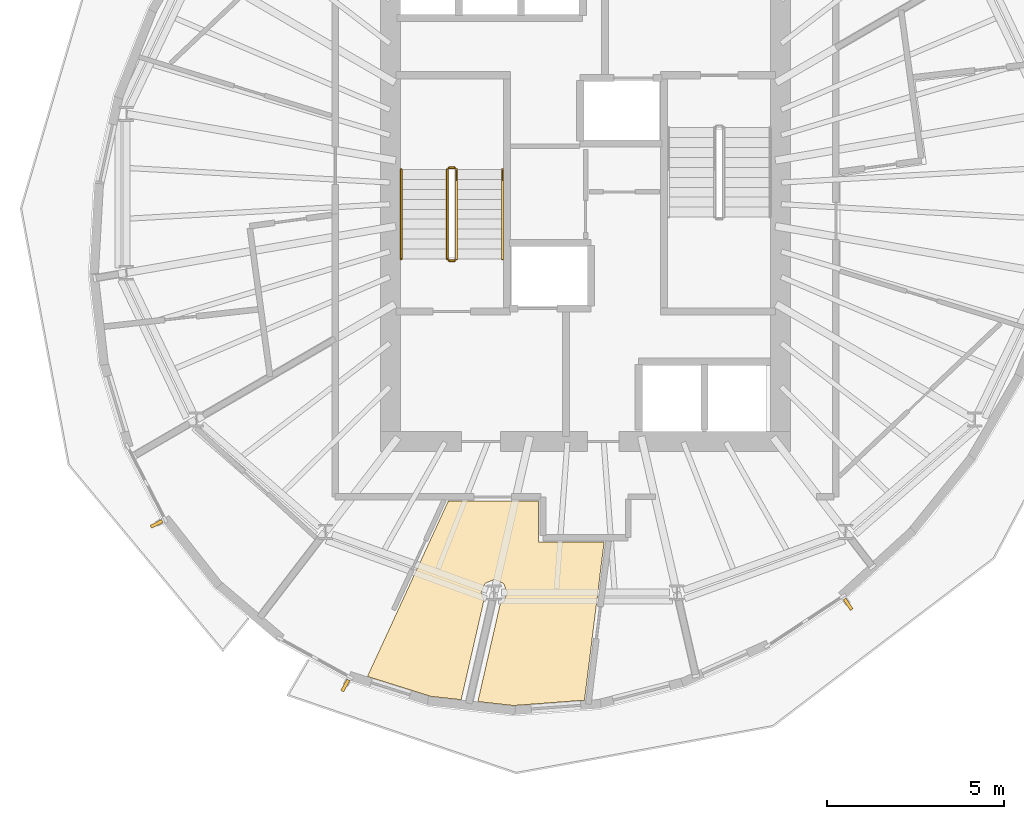
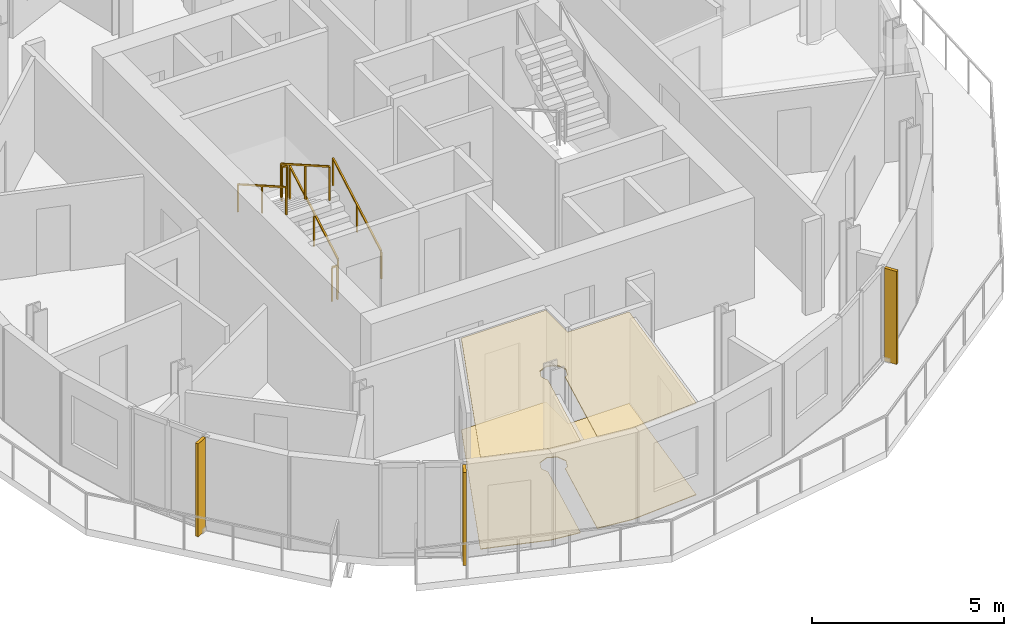
# One storey, part 8 of 11: 6 railings, 3 shading devices, 2 coverings.
"""IFC4 building model written with IfcOpenShell, lengths in metres."""

from ifc_helpers import new_model, si_unit, direction, frame, origin, origin_2d, place, context, subcontext, project, spatial, polyline, rectangle, outline, extrude, material, layer, layer_set, type_object, element, save


model = new_model("IFC4")

# Units and contexts
model_context = context("Model", 3, precision=1e-05, world=origin(), true_north=direction((0.0, 1.0)))
body_context = subcontext(model_context, "Body", "Model", "MODEL_VIEW")
ifc_project = project(units=[si_unit("LENGTHUNIT", "METRE"), si_unit("AREAUNIT", "SQUARE_METRE"), si_unit("VOLUMEUNIT", "CUBIC_METRE"), si_unit("PLANEANGLEUNIT", "RADIAN"), si_unit("MASSUNIT", "GRAM", prefix="KILO")], contexts=[model_context])

# Site, building, storey
site_placement = place(None, origin())
site = spatial("IfcSite", under=ifc_project, at=site_placement, CompositionType="ELEMENT")
building_placement = place(site_placement, origin())
building = spatial("IfcBuilding", under=site, at=building_placement, Name="Veldorim Arch Residences", CompositionType="ELEMENT")
storey_placement = place(building_placement, frame((0.0, 0.0, 223.840087890625)))
storey = spatial("IfcBuildingStorey", under=building, at=storey_placement, Name="L67", CompositionType="ELEMENT", Elevation=223.840087890625)

# Railings
ifc_material_1 = material(Name="Steel S355", Category="steel")
railing_type_1 = type_object("IfcRailingType", Name="Galvanised Steel Stair Safety Guardrail 1100", PredefinedType="GUARDRAIL", material=ifc_material_1)
railing_1_placement = place(storey_placement, frame((28.360107421875, 22.14990234375, 0.159912109375)))
element("IfcRailing", 1, at=railing_1_placement, inside=storey, type_object=railing_type_1, Name="L67 ST-1 stair guard 1", PredefinedType="GUARDRAIL", context=body_context, shape_type="SweptSolid", body=[
    extrude(rectangle(XDim=0.048095703125, YDim=0.048095703125, at=origin_2d()), frame((0.0, 0.0, 1.076171875), z_axis=(0.0, 0.868253494771, 0.496120820787), x_axis=(-1.0, 0.0, 0.0)), (0.0, 0.0, 1.0), 2.90234375),
    extrude(rectangle(XDim=0.0419921875, YDim=0.0419921875, at=origin_2d()), origin(), (0.0, 0.0, 1.0), 1.052001953125),
    extrude(rectangle(XDim=0.0419921875, YDim=0.0419921875, at=origin_2d()), frame((0.0, 1.260009765625, 0.719970703125)), (0.0, 0.0, 1.0), 1.052001953125),
    extrude(rectangle(XDim=0.0419921875, YDim=0.0419921875, at=origin_2d()), frame((0.0, 2.52001953125, 1.43994140625)), (0.0, 0.0, 1.0), 1.052001953125),
])
railing_2_placement = place(storey_placement, frame((28.31005859375, 24.719970703125, 1.599853515625)))
element("IfcRailing", 2, at=railing_2_placement, inside=storey, type_object=railing_type_1, Name="L67 ST-1 stair guard 2", PredefinedType="GUARDRAIL", context=body_context, shape_type="SweptSolid", body=[
    extrude(rectangle(XDim=0.048095703125, YDim=0.048095703125, at=origin_2d()), frame((0.0, 0.0, 1.076171875), z_axis=(-1.0, 0.0, 0.0), x_axis=(0.0, -1.0, 0.0)), (0.0, 0.0, 1.0), 0.16015625),
    extrude(rectangle(XDim=0.0419921875, YDim=0.0419921875, at=origin_2d()), origin(), (0.0, 0.0, 1.0), 1.052001953125),
    extrude(rectangle(XDim=0.0419921875, YDim=0.0419921875, at=origin_2d()), frame((-0.16015625, 0.0, 0.0)), (0.0, 0.0, 1.0), 1.052001953125),
])
railing_3_placement = place(storey_placement, frame((28.10009765625, 24.669921875, 1.760009765625)))
element("IfcRailing", 3, at=railing_3_placement, inside=storey, type_object=railing_type_1, Name="L67 ST-1 stair guard 3", PredefinedType="GUARDRAIL", context=body_context, shape_type="SweptSolid", body=[
    extrude(rectangle(XDim=0.048095703125, YDim=0.048095703125, at=origin_2d()), frame((0.0, 0.0, 1.076171875), z_axis=(0.0, -0.868253494771, 0.496120820787), x_axis=(1.0, 0.0, 0.0)), (0.0, 0.0, 1.0), 2.90234375),
    extrude(rectangle(XDim=0.0419921875, YDim=0.0419921875, at=origin_2d()), origin(), (0.0, 0.0, 1.0), 1.052001953125),
    extrude(rectangle(XDim=0.0419921875, YDim=0.0419921875, at=origin_2d()), frame((0.0, -1.260009765625, 0.719970703125)), (0.0, 0.0, 1.0), 1.052001953125),
    extrude(rectangle(XDim=0.0419921875, YDim=0.0419921875, at=origin_2d()), frame((0.0, -2.52001953125, 1.43994140625)), (0.0, 0.0, 1.0), 1.052001953125),
])
railing_4_placement = place(storey_placement, frame((28.31005859375, 22.10009765625, 0.0)))
element("IfcRailing", 4, at=railing_4_placement, inside=storey, type_object=railing_type_1, Name="L67 ST-1 stair guard 4", PredefinedType="GUARDRAIL", context=body_context, shape_type="SweptSolid", body=[
    extrude(rectangle(XDim=0.048095703125, YDim=0.048095703125, at=origin_2d()), frame((0.0, 0.0, 1.076171875), z_axis=(-1.0, 0.0, 0.0), x_axis=(0.0, -1.0, 0.0)), (0.0, 0.0, 1.0), 0.16015625),
    extrude(rectangle(XDim=0.0419921875, YDim=0.0419921875, at=origin_2d()), origin(), (0.0, 0.0, 1.0), 1.052001953125),
    extrude(rectangle(XDim=0.0419921875, YDim=0.0419921875, at=origin_2d()), frame((-0.16015625, 0.0, 0.0)), (0.0, 0.0, 1.0), 1.052001953125),
])

# Coverings
ifc_material_2 = material(Name="Acoustic Gypsum & Mineral Fibre", Category="gypsum")
ifc_layer_1 = layer(ifc_material_2, 0.034912109375, Name="Perforated Acoustic Mineral-Fibre Ceiling 35")
ifc_layer_set_1 = layer_set([ifc_layer_1], Name="Acoustic Gypsum & Mineral Fibre")
covering_type_1 = type_object("IfcCoveringType", Name="Perforated Acoustic Mineral-Fibre Ceiling 35", PredefinedType="CEILING", material=ifc_layer_set_1)
covering_1_placement = place(storey_placement, frame((0.0, 0.0, 2.905029296875)))
element("IfcCovering", 5, at=covering_1_placement, inside=storey, type_object=covering_type_1, Name="L67 acoustic suspended ceiling 01", PredefinedType="CEILING", context=body_context, shape_type="SweptSolid", body=[
    extrude(outline(polyline([(29.597900390625, 12.443115234375), (29.68603515625, 12.4794921875), (29.794189453125, 12.740478515625), (29.68603515625, 13.001708984375), (29.4248046875, 13.110107421875), (29.16357421875, 13.001708984375), (29.055419921875, 12.740478515625), (29.137939453125, 12.54150390625), (28.492919921875, 9.720703125), (27.63916015625, 9.815673828125), (25.849853515625, 10.37744140625), (28.129150390625, 15.320068359375), (30.679931640625, 15.320068359375), (30.679931640625, 14.169921875), (32.523681640625, 14.169921875), (31.970458984375, 9.707275390625), (29.963134765625, 9.556884765625), (28.96337890625, 9.668212890625), (29.597900390625, 12.443115234375)])), origin(), (0.0, 0.0, 1.0), 0.034912109375),
])
ifc_material_3 = material(Name="Porcelain Ceramic Tile", Category="ceramic")
ifc_layer_2 = layer(ifc_material_3, 0.02001953125, Name="Slip-Resistant Porcelain & Vinyl Floor Finish 20")
ifc_layer_set_2 = layer_set([ifc_layer_2], Name="Porcelain Ceramic Tile")
covering_type_2 = type_object("IfcCoveringType", Name="Slip-Resistant Porcelain & Vinyl Floor Finish 20", PredefinedType="FLOORING", material=ifc_layer_set_2)
covering_2_placement = place(storey_placement, origin())
element("IfcCovering", 6, at=covering_2_placement, inside=storey, type_object=covering_type_2, Name="L67 porcelain floor finish 01", PredefinedType="FLOORING", context=body_context, shape_type="SweptSolid", body=[
    extrude(outline(polyline([(29.597900390625, 12.443115234375), (29.68603515625, 12.4794921875), (29.794189453125, 12.740478515625), (29.68603515625, 13.001708984375), (29.4248046875, 13.110107421875), (29.16357421875, 13.001708984375), (29.055419921875, 12.740478515625), (29.137939453125, 12.54150390625), (28.492919921875, 9.720703125), (27.63916015625, 9.815673828125), (25.849853515625, 10.37744140625), (28.129150390625, 15.320068359375), (30.679931640625, 15.320068359375), (30.679931640625, 14.169921875), (32.523681640625, 14.169921875), (31.970458984375, 9.707275390625), (29.963134765625, 9.556884765625), (28.96337890625, 9.668212890625), (29.597900390625, 12.443115234375)])), origin(), (0.0, 0.0, 1.0), 0.02001953125),
])

# Railings
ifc_material_4 = material(Name="Stainless Steel", Category="steel")
railing_type_2 = type_object("IfcRailingType", Name="Tubular Steel Continuous Wall Handrail 900", PredefinedType="HANDRAIL", material=ifc_material_4)
railing_5_placement = place(storey_placement, frame((29.659912109375, 22.14990234375, 0.159912109375)))
element("IfcRailing", 7, at=railing_5_placement, inside=storey, type_object=railing_type_2, Name="L67 ST-1 stair handrail 1", PredefinedType="HANDRAIL", context=body_context, shape_type="SweptSolid", body=[
    extrude(rectangle(XDim=0.048095703125, YDim=0.048095703125, at=origin_2d()), frame((0.0, 0.0, 0.8759765625), z_axis=(0.0, 0.868253494771, 0.496120820787), x_axis=(-1.0, 0.0, 0.0)), (0.0, 0.0, 1.0), 2.90234375),
    extrude(rectangle(XDim=0.0419921875, YDim=0.0419921875, at=origin_2d()), origin(), (0.0, 0.0, 1.0), 0.851806640625),
    extrude(rectangle(XDim=0.0419921875, YDim=0.0419921875, at=origin_2d()), frame((0.0, 1.260009765625, 0.719970703125)), (0.0, 0.0, 1.0), 0.851806640625),
    extrude(rectangle(XDim=0.0419921875, YDim=0.0419921875, at=origin_2d()), frame((0.0, 2.52001953125, 1.43994140625)), (0.0, 0.0, 1.0), 0.851806640625),
])
railing_6_placement = place(storey_placement, frame((26.800048828125, 24.669921875, 1.760009765625)))
element("IfcRailing", 8, at=railing_6_placement, inside=storey, type_object=railing_type_2, Name="L67 ST-1 stair handrail 2", PredefinedType="HANDRAIL", context=body_context, shape_type="SweptSolid", body=[
    extrude(rectangle(XDim=0.048095703125, YDim=0.048095703125, at=origin_2d()), frame((0.0, 0.0, 0.8759765625), z_axis=(0.0, -0.868253494771, 0.496120820787), x_axis=(1.0, 0.0, 0.0)), (0.0, 0.0, 1.0), 2.90234375),
    extrude(rectangle(XDim=0.0419921875, YDim=0.0419921875, at=origin_2d()), origin(), (0.0, 0.0, 1.0), 0.851806640625),
    extrude(rectangle(XDim=0.0419921875, YDim=0.0419921875, at=origin_2d()), frame((0.0, -1.260009765625, 0.719970703125)), (0.0, 0.0, 1.0), 0.851806640625),
    extrude(rectangle(XDim=0.0419921875, YDim=0.0419921875, at=origin_2d()), frame((0.0, -2.52001953125, 1.43994140625)), (0.0, 0.0, 1.0), 0.851806640625),
])

# Shading devices
ifc_material_5 = material(Name="Terracotta Ceramic", Category="masonry")
ifc_layer_3 = layer(ifc_material_5, 0.090087890625, Name="Vertical Extruded Terracotta Baguette Sun-Shading Fin")
ifc_layer_set_3 = layer_set([ifc_layer_3], Name="Terracotta Ceramic")
shading_device_type = type_object("IfcShadingDeviceType", Name="Vertical Extruded Terracotta Baguette Sun-Shading Fin", PredefinedType="USERDEFINED", material=ifc_layer_set_3)
for number, where, z_axis, x_axis, name in (
    (9, (19.90234375, 14.678466796875, 0.0), (0.0, 0.0, 1.0), (-0.457718745382, 0.889097042019, 0.0), "L67 vertical terracotta sun-shading fin 16"),
    (10, (25.2255859375, 10.121337890625, 0.0), (0.0, 0.0, 1.0), (-0.876222584819, 0.481906611132, 0.0), "L67 vertical terracotta sun-shading fin 19"),
    (11, (39.40478515625, 12.41162109375, 0.0), (0.0, 0.0, 1.0), (-0.835135979853, -0.550043539327, 0.0), "L67 vertical terracotta sun-shading fin 25"),
):
    element("IfcShadingDevice", number, at=place(storey_placement, frame(where, z_axis=z_axis, x_axis=x_axis)), inside=storey, type_object=shading_device_type, Name=name, ObjectType="FIN", PredefinedType="USERDEFINED", context=body_context, shape_type="SweptSolid", body=[
        extrude(rectangle(XDim=0.090087890625, YDim=0.360107421875, at=origin_2d()), origin(), (0.0, 0.0, 1.0), 2.9599609375),
    ])

save(model, "model.ifc")
